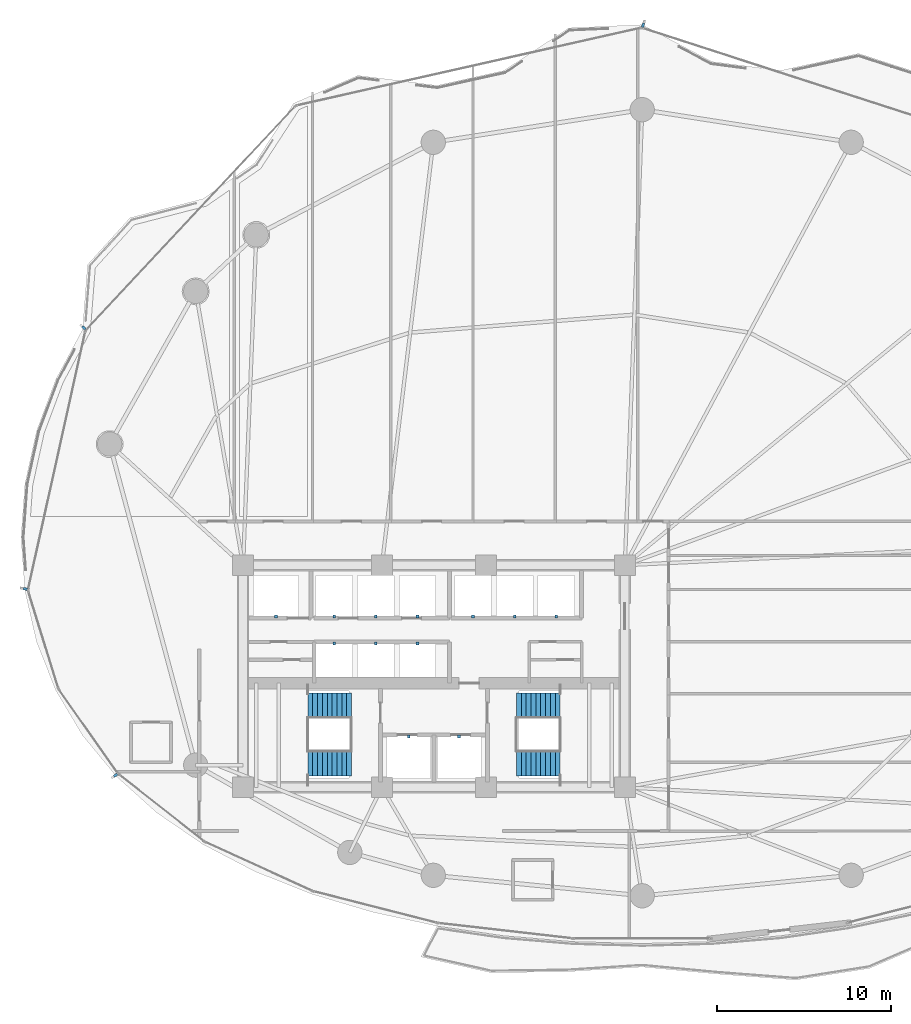
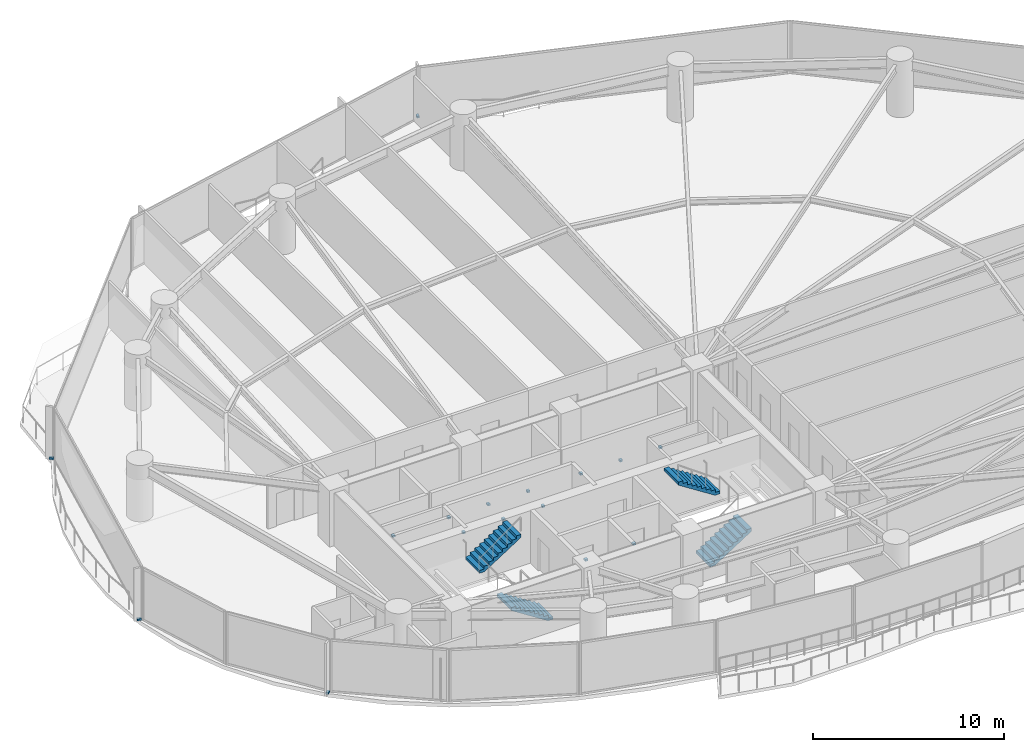
# One storey, part 28 of 33: 16 discrete accessories, 4 stair flights, 2 elements without a shape of their own.
"""IFC4 building model written with IfcOpenShell, lengths in metres."""

from ifc_helpers import new_model, si_unit, direction, frame, origin, origin_2d, place, context, subcontext, project, spatial, polyline, rectangle, outline, extrude, material, layer, layer_set, type_object, element, aggregate, save


model = new_model("IFC4")

# Units and contexts
model_context = context("Model", 3, precision=1e-05, world=origin(), true_north=direction((0.0, 1.0)))
body_context = subcontext(model_context, "Body", "Model", "MODEL_VIEW")
ifc_project = project(units=[si_unit("LENGTHUNIT", "METRE"), si_unit("AREAUNIT", "SQUARE_METRE"), si_unit("VOLUMEUNIT", "CUBIC_METRE"), si_unit("PLANEANGLEUNIT", "RADIAN"), si_unit("MASSUNIT", "GRAM", prefix="KILO")], contexts=[model_context])

# Site, building, storey
site_placement = place(None, origin())
site = spatial("IfcSite", under=ifc_project, at=site_placement, CompositionType="ELEMENT")
building_placement = place(site_placement, origin())
building = spatial("IfcBuilding", under=site, at=building_placement, Name="Kazevale Care Tower and Concert Hall", CompositionType="ELEMENT")
storey_placement = place(building_placement, frame((0.0, 0.0, 45.60009765625)))
storey = spatial("IfcBuildingStorey", under=building, at=storey_placement, Name="L11", CompositionType="ELEMENT", Elevation=45.60009765625)

# Stair, stair flights
ifc_material_1 = material(Name="Concrete C40", Category="concrete")
stair_type = type_object("IfcStairType", Name="Exit Stair Assembly ST1-Z1", PredefinedType="HALF_TURN_STAIR", material=ifc_material_1)
stair_1_placement = place(storey_placement, origin())
stair_1 = element("IfcStair", 1, at=stair_1_placement, inside=storey, type_object=stair_type, Name="stair:L11:ST1", PredefinedType="HALF_TURN_STAIR")
ifc_layer = layer(ifc_material_1, 0.159912109375)
ifc_layer_set = layer_set([ifc_layer], Name="Concrete C40")
stair_flight_type = type_object("IfcStairFlightType", Name="Exit Stair Flight ST1-Z1", PredefinedType="STRAIGHT", material=ifc_layer_set)
stair_flight_1_placement = place(storey_placement, frame((28.25, 24.989990234375, 0.0), z_axis=(0.0, 0.0, 1.0), x_axis=(-1.0, 0.0, 0.0)))
stair_flight_1 = element("IfcStairFlight", 2, at=stair_flight_1_placement, type_object=stair_flight_type, Name="ST1-Z1 flight 1", NumberOfRisers=10, NumberOfTreads=9, PredefinedType="STRAIGHT", RiserHeight=0.18, TreadLength=0.28, context=body_context, shape_type="SweptSolid", body=[
    extrude(outline(polyline([(0.0, 0.0), (0.0, 0.179931640625), (0.280029296875, 0.179931640625), (0.280029296875, 0.360107421875), (0.56005859375, 0.360107421875), (0.56005859375, 0.5400390625), (0.840087890625, 0.5400390625), (0.840087890625, 0.719970703125), (1.1201171875, 0.719970703125), (1.1201171875, 0.89990234375), (1.39990234375, 0.89990234375), (1.39990234375, 1.080078125), (1.679931640625, 1.080078125), (1.679931640625, 1.260009765625), (1.9599609375, 1.260009765625), (1.9599609375, 1.43994140625), (2.239990234375, 1.43994140625), (2.239990234375, 1.6201171875), (2.52001953125, 1.6201171875), (2.52001953125, 1.800048828125), (2.52001953125, 1.429931640625), (0.295654296875, 0.0), (0.0, 0.0)])), frame((0.0, 0.739990234375, 0.0), z_axis=(0.0, -1.0, 0.0), x_axis=(1.0, 0.0, 0.0)), (0.0, 0.0, 1.0), 1.47998046875),
])
stair_flight_2_placement = place(storey_placement, frame((25.72998046875, 28.31005859375, 1.7998046875), z_axis=(0.0, 0.0, 1.0), x_axis=(1.0, 0.0, 0.0)))
stair_flight_2 = element("IfcStairFlight", 3, at=stair_flight_2_placement, type_object=stair_flight_type, Name="ST1-Z1 flight 2", NumberOfRisers=10, NumberOfTreads=9, PredefinedType="STRAIGHT", RiserHeight=0.18, TreadLength=0.28, context=body_context, shape_type="SweptSolid", body=[
    extrude(outline(polyline([(0.0, 0.0), (0.0, 0.179931640625), (0.280029296875, 0.179931640625), (0.280029296875, 0.360107421875), (0.56005859375, 0.360107421875), (0.56005859375, 0.5400390625), (0.840087890625, 0.5400390625), (0.840087890625, 0.719970703125), (1.1201171875, 0.719970703125), (1.1201171875, 0.89990234375), (1.39990234375, 0.89990234375), (1.39990234375, 1.080078125), (1.679931640625, 1.080078125), (1.679931640625, 1.260009765625), (1.9599609375, 1.260009765625), (1.9599609375, 1.43994140625), (2.239990234375, 1.43994140625), (2.239990234375, 1.6201171875), (2.52001953125, 1.6201171875), (2.52001953125, 1.800048828125), (2.52001953125, 1.429931640625), (0.295654296875, 0.0), (0.0, 0.0)])), frame((0.0, 0.739990234375, 0.0), z_axis=(0.0, -1.0, 0.0), x_axis=(1.0, 0.0, 0.0)), (0.0, 0.0, 1.0), 1.47998046875),
])
aggregate(stair_1, [stair_flight_1, stair_flight_2])

stair_2_placement = place(storey_placement, origin())
stair_2 = element("IfcStair", 4, at=stair_2_placement, inside=storey, type_object=stair_type, Name="stair:L11:ST2", PredefinedType="HALF_TURN_STAIR")
stair_flight_3_placement = place(storey_placement, frame((37.75, 24.989990234375, 0.0), z_axis=(0.0, 0.0, 1.0), x_axis=(1.0, 0.0, 0.0)))
stair_flight_3 = element("IfcStairFlight", 5, at=stair_flight_3_placement, type_object=stair_flight_type, Name="ST1-Z1 flight 1", NumberOfRisers=10, NumberOfTreads=9, PredefinedType="STRAIGHT", RiserHeight=0.18, TreadLength=0.28, context=body_context, shape_type="SweptSolid", body=[
    extrude(outline(polyline([(0.0, 0.0), (0.0, 0.179931640625), (0.280029296875, 0.179931640625), (0.280029296875, 0.360107421875), (0.56005859375, 0.360107421875), (0.56005859375, 0.5400390625), (0.840087890625, 0.5400390625), (0.840087890625, 0.719970703125), (1.1201171875, 0.719970703125), (1.1201171875, 0.89990234375), (1.39990234375, 0.89990234375), (1.39990234375, 1.080078125), (1.679931640625, 1.080078125), (1.679931640625, 1.260009765625), (1.9599609375, 1.260009765625), (1.9599609375, 1.43994140625), (2.239990234375, 1.43994140625), (2.239990234375, 1.6201171875), (2.52001953125, 1.6201171875), (2.52001953125, 1.800048828125), (2.52001953125, 1.429931640625), (0.295654296875, 0.0), (0.0, 0.0)])), frame((0.0, 0.739990234375, 0.0), z_axis=(0.0, -1.0, 0.0), x_axis=(1.0, 0.0, 0.0)), (0.0, 0.0, 1.0), 1.47998046875),
])
stair_flight_4_placement = place(storey_placement, frame((40.27001953125, 28.31005859375, 1.7998046875), z_axis=(0.0, 0.0, 1.0), x_axis=(-1.0, 0.0, 0.0)))
stair_flight_4 = element("IfcStairFlight", 6, at=stair_flight_4_placement, type_object=stair_flight_type, Name="ST1-Z1 flight 2", NumberOfRisers=10, NumberOfTreads=9, PredefinedType="STRAIGHT", RiserHeight=0.18, TreadLength=0.28, context=body_context, shape_type="SweptSolid", body=[
    extrude(outline(polyline([(0.0, 0.0), (0.0, 0.179931640625), (0.280029296875, 0.179931640625), (0.280029296875, 0.360107421875), (0.56005859375, 0.360107421875), (0.56005859375, 0.5400390625), (0.840087890625, 0.5400390625), (0.840087890625, 0.719970703125), (1.1201171875, 0.719970703125), (1.1201171875, 0.89990234375), (1.39990234375, 0.89990234375), (1.39990234375, 1.080078125), (1.679931640625, 1.080078125), (1.679931640625, 1.260009765625), (1.9599609375, 1.260009765625), (1.9599609375, 1.43994140625), (2.239990234375, 1.43994140625), (2.239990234375, 1.6201171875), (2.52001953125, 1.6201171875), (2.52001953125, 1.800048828125), (2.52001953125, 1.429931640625), (0.295654296875, 0.0), (0.0, 0.0)])), frame((0.0, 0.739990234375, 0.0), z_axis=(0.0, -1.0, 0.0), x_axis=(1.0, 0.0, 0.0)), (0.0, 0.0, 1.0), 1.47998046875),
])
aggregate(stair_2, [stair_flight_3, stair_flight_4])

# Discrete accessories
ifc_material_2 = material(Name="Stainless Steel 316", Category="steel")
discrete_accessory_type_1 = type_object("IfcDiscreteAccessoryType", Name="Facade Fin Stainless Anchor Bracket BRK-1", PredefinedType="BRACKET", material=ifc_material_2)
for number, where, z_axis, x_axis, name in (
    (7, (14.656005859375, 24.298828125, -0.000244140625), (0.0, 0.0, 1.0), (-0.817547124842, -0.575861700985, 0.0), "cw:L11:f11:brk"),
    (8, (9.44677734375, 35.03369140625, -0.000244140625), (0.0, 0.0, 1.0), (-0.97629600712, 0.216439613938, 0.0), "cw:L11:f13:brk"),
    (9, (12.8251953125, 50.068359375, -0.000244140625), (0.0, 0.0, 1.0), (-0.730400739673, 0.683018857343, 0.0), "cw:L11:f14:brk"),
    (10, (45.04931640625, 67.517333984375, -0.000244140625), (0.0, 0.0, 1.0), (0.30785482931, 0.951433341896, 0.0), "cw:L11:f16:brk"),
):
    element("IfcDiscreteAccessory", number, at=place(storey_placement, frame(where, z_axis=z_axis, x_axis=x_axis)), inside=storey, type_object=discrete_accessory_type_1, Name=name, PredefinedType="BRACKET", context=body_context, shape_type="SweptSolid", body=[
        extrude(rectangle(XDim=0.239990234375, YDim=0.139892578125, at=origin_2d()), origin(), (0.0, 0.0, 1.0), 0.1201171875),
    ])
discrete_accessory_type_2 = type_object("IfcDiscreteAccessoryType", Name="Hoistway Guide-Rail Wall Bracket HBRK-1", PredefinedType="BRACKET", material=ifc_material_2)
for number, where, z_axis, x_axis, name in (
    (11, (31.550048828125, 26.52001953125, 1.23974609375), (0.0, 0.0, 1.0), (1.0, 0.0, 0.0), "hbrk:FFL-1:L11"),
    (12, (34.449951171875, 26.52001953125, 1.23974609375), (0.0, 0.0, 1.0), (1.0, 0.0, 0.0), "hbrk:FFL-2:L11"),
    (13, (23.89990234375, 33.449951171875, 1.23974609375), (0.0, 0.0, 1.0), (1.0, 0.0, 0.0), "hbrk:SVL-1:L11"),
    (14, (27.25, 33.449951171875, 1.23974609375), (0.0, 0.0, 1.0), (1.0, 0.0, 0.0), "hbrk:PL-1:L11"),
    (15, (29.64990234375, 33.449951171875, 1.23974609375), (0.0, 0.0, 1.0), (1.0, 0.0, 0.0), "hbrk:PL-2:L11"),
    (16, (32.050048828125, 33.449951171875, 1.23974609375), (0.0, 0.0, 1.0), (1.0, 0.0, 0.0), "hbrk:PL-3:L11"),
    (17, (35.25, 33.449951171875, 1.23974609375), (0.0, 0.0, 1.0), (1.0, 0.0, 0.0), "hbrk:PM-1:L11"),
    (18, (37.64990234375, 33.449951171875, 1.23974609375), (0.0, 0.0, 1.0), (1.0, 0.0, 0.0), "hbrk:PM-2:L11"),
    (19, (40.050048828125, 33.449951171875, 1.23974609375), (0.0, 0.0, 1.0), (1.0, 0.0, 0.0), "hbrk:PM-3:L11"),
    (20, (27.25, 31.8798828125, 1.23974609375), (0.0, 0.0, 1.0), (1.0, 0.0, 0.0), "hbrk:PH-1:L11"),
    (21, (29.64990234375, 31.8798828125, 1.23974609375), (0.0, 0.0, 1.0), (1.0, 0.0, 0.0), "hbrk:PH-2:L11"),
    (22, (32.050048828125, 31.8798828125, 1.23974609375), (0.0, 0.0, 1.0), (1.0, 0.0, 0.0), "hbrk:PH-3:L11"),
):
    element("IfcDiscreteAccessory", number, at=place(storey_placement, frame(where, z_axis=z_axis, x_axis=x_axis)), inside=storey, type_object=discrete_accessory_type_2, Name=name, PredefinedType="BRACKET", context=body_context, shape_type="SweptSolid", body=[
        extrude(rectangle(XDim=0.159912109375, YDim=0.179931640625, at=origin_2d()), origin(), (0.0, 0.0, 1.0), 0.1201171875),
    ])

save(model, "model.ifc")
